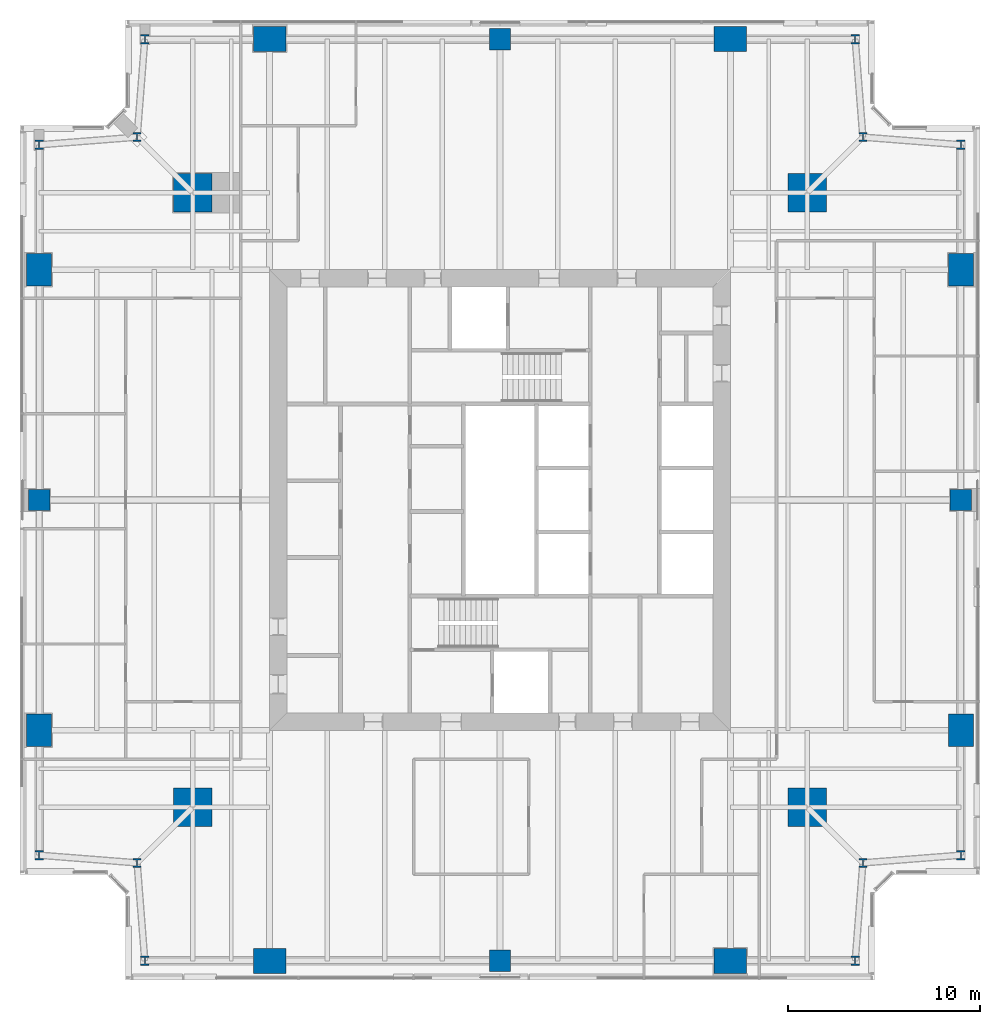
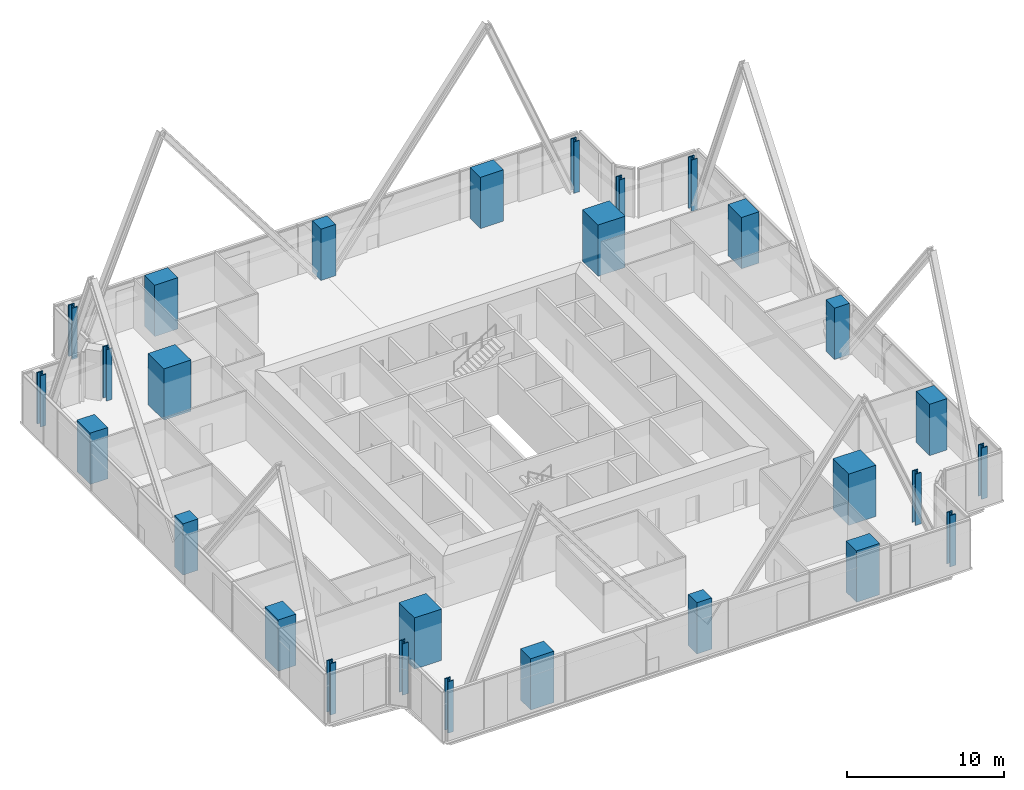
# One storey, part 1 of 14: 28 columns.
"""IFC4 building model written with IfcOpenShell, lengths in metres."""

import ifcopenshell
import ifcopenshell.guid

model = None  # the IFC model being written
_history = None  # IfcOwnerHistory: only IFC2X3 demands one
_inside = {}  # id of a spatial element -> (the spatial element, [elements in it])
_under = {}  # id of a project, library or spatial element -> (it, [spatial elements below it])
_declared = {}  # id of a project -> (the project, [libraries it declares])
_typed = {}  # id of a type object -> (the type object, [elements of that type])
_made_of = {}  # id of a material, layer set ... -> (it, [elements and type objects made of it])


def new_model(schema):
    """Start an empty IFC model of exactly this schema.

    Asked for "IFC4X3", IfcOpenShell would pick the latest addendum, in which some entities
    have other attributes; the version numbers below select the first issue.
    IFC2X3 requires an IfcOwnerHistory on every rooted entity: one is made here for all.
    """
    global model, _history
    if schema == "IFC4X3":
        model = ifcopenshell.file(schema_version=(4, 3, 0, 0))
    else:
        model = ifcopenshell.file(schema=schema)
    _inside.clear()
    _under.clear()
    _declared.clear()
    _typed.clear()
    _made_of.clear()
    _history = None
    if model.schema == "IFC2X3":
        org = make("IfcOrganization", Name="unknown")
        user = make(
            "IfcPersonAndOrganization",
            ThePerson=make("IfcPerson", FamilyName="unknown"),
            TheOrganization=org,
        )
        app = make(
            "IfcApplication",
            ApplicationDeveloper=org,
            Version="unknown",
            ApplicationFullName="unknown",
            ApplicationIdentifier="unknown",
        )
        _history = make(
            "IfcOwnerHistory",
            OwningUser=user,
            OwningApplication=app,
            ChangeAction="ADDED",
            CreationDate=0,
        )
    return model


def make(cls, **values):
    """One entity of the class cls with the attributes given. An attribute that is None is left unset."""
    return model.create_entity(
        cls, **{name: value for name, value in values.items() if value is not None}
    )


def rooted(cls, **values):
    """An entity with a GlobalId (a new one), such as an element, a storey or a relation."""
    return make(cls, GlobalId=ifcopenshell.guid.new(), OwnerHistory=_history, **values)


def si_unit(unit_type, name, prefix=None):
    """IfcSIUnit, for example si_unit("LENGTHUNIT", "METRE", prefix="MILLI")."""
    return make("IfcSIUnit", UnitType=unit_type, Prefix=prefix, Name=name)


def assignment(units):
    """IfcUnitAssignment: the units of a project."""
    return None if units is None else make("IfcUnitAssignment", Units=units)


def point(xyz):
    """IfcCartesianPoint."""
    return None if xyz is None else make("IfcCartesianPoint", Coordinates=xyz)


def direction(xyz):
    """IfcDirection."""
    return None if xyz is None else make("IfcDirection", DirectionRatios=xyz)


def frame(location, z_axis=None, x_axis=None):
    """IfcAxis2Placement3D, a coordinate frame: its origin and axes. An axis left out is left unset."""
    return make(
        "IfcAxis2Placement3D",
        Location=point(location),
        Axis=direction(z_axis),
        RefDirection=direction(x_axis),
    )


def frame_2d(location, x_axis=None):
    """IfcAxis2Placement2D, a coordinate frame in the plane: its origin and x axis."""
    return make(
        "IfcAxis2Placement2D", Location=point(location), RefDirection=direction(x_axis)
    )


def origin():
    """The frame at (0, 0, 0) with its axes left unset."""
    return frame((0.0, 0.0, 0.0))


def origin_2d():
    """The frame at (0, 0) in the plane with its x axis left unset."""
    return frame_2d((0.0, 0.0))


def place(relative_to, where):
    """IfcLocalPlacement: puts the frame where relative to a parent placement (None: the world)."""
    return make(
        "IfcLocalPlacement", PlacementRelTo=relative_to, RelativePlacement=where
    )


def context(
    kind, dimensions, precision=None, world=None, true_north=None, identifier=None
):
    """IfcGeometricRepresentationContext, for example the 3D "Model" context."""
    return make(
        "IfcGeometricRepresentationContext",
        ContextIdentifier=identifier,
        ContextType=kind,
        CoordinateSpaceDimension=dimensions,
        Precision=precision,
        WorldCoordinateSystem=world,
        TrueNorth=true_north,
    )


def subcontext(parent, identifier, kind, view, scale=None):
    """IfcGeometricRepresentationSubContext, for example "Body" below "Model"."""
    return make(
        "IfcGeometricRepresentationSubContext",
        ContextIdentifier=identifier,
        ContextType=kind,
        ParentContext=parent,
        TargetScale=scale,
        TargetView=view,
    )


def project(units=None, contexts=None):
    """IfcProject with its units and contexts."""
    return rooted(
        "IfcProject",
        Name="project",
        RepresentationContexts=contexts,
        UnitsInContext=assignment(units),
    )


def spatial(cls, under=None, at=None, **own):
    """A site, building, storey or space (cls), placed at a placement, below another one or the project."""
    s = rooted(cls, ObjectPlacement=at, **own)
    if under is not None:
        _under.setdefault(under.id(), (under, []))[1].append(s)
    return s


def profile(cls, at=None, kind="AREA", **sizes):
    """A parametric profile (cls). Its sizes go by their IFC names, for example OverallWidth=200.0."""
    return make(cls, ProfileType=kind, Position=at, **sizes)


def rectangle(**sizes):
    """IfcRectangleProfileDef."""
    return profile("IfcRectangleProfileDef", **sizes)


def i_section(**sizes):
    """IfcIShapeProfileDef."""
    return profile("IfcIShapeProfileDef", **sizes)


def extrude(swept, where, along, depth):
    """IfcExtrudedAreaSolid: the profile swept, set in the frame where, extruded along a direction by depth."""
    return make(
        "IfcExtrudedAreaSolid",
        SweptArea=swept,
        Position=where,
        ExtrudedDirection=direction(along),
        Depth=depth,
    )


def shape(context_of_items, identifier, shape_type, items):
    """IfcShapeRepresentation: the items that make up one representation, for example the "Body"."""
    return make(
        "IfcShapeRepresentation",
        ContextOfItems=context_of_items,
        RepresentationIdentifier=identifier,
        RepresentationType=shape_type,
        Items=items,
    )


def material(Name=None, Category=None):
    """IfcMaterial."""
    return make("IfcMaterial", Name=Name, Category=Category)


def material_profile(
    of_material, cross_section, Name=None, Category=None, Priority=None
):
    """IfcMaterialProfile: a cross section and its material."""
    return make(
        "IfcMaterialProfile",
        Name=Name,
        Material=of_material,
        Profile=cross_section,
        Priority=Priority,
        Category=Category,
    )


def profile_set(profiles, Name=None, composite=None):
    """IfcMaterialProfileSet."""
    return make(
        "IfcMaterialProfileSet",
        Name=Name,
        MaterialProfiles=profiles,
        CompositeProfile=composite,
    )


def made_of(thing, what):
    """Note that an element or type object is made of a material, layer set ...; save() writes the relation."""
    if what is not None:
        _made_of.setdefault(what.id(), (what, []))[1].append(thing)
    return thing


def type_object(cls, material=None, **own):
    """A type object (cls), such as IfcWallType, which elements share."""
    return made_of(rooted(cls, **own), material)


def element(
    cls,
    number,
    at=None,
    inside=None,
    cuts=None,
    type_object=None,
    material=None,
    context=None,
    identifier="Body",
    shape_type=None,
    held_by="IfcProductDefinitionShape",
    body=None,
    shapes=None,
    **own,
):
    """One element of the class cls, such as IfcWall. Its Tag is "e" and its number.

    at: its placement. inside: the storey or other place that contains it. cuts: it is an
    opening in that element (IfcRelVoidsElement). A single representation is given by context,
    identifier, shape_type and body (its items); several are given by shapes. held_by: the class
    of the entity that holds the representations. save() writes the other relations.
    """
    e = rooted(cls, Tag="e%d" % number, ObjectPlacement=at, **own)
    if body is not None:
        shapes = [shape(context, identifier, shape_type, body)]
    if shapes is not None:
        e.Representation = make(held_by, Representations=shapes)
    if inside is not None:
        _inside.setdefault(inside.id(), (inside, []))[1].append(e)
    if cuts is not None:
        rooted(
            "IfcRelVoidsElement", RelatingBuildingElement=cuts, RelatedOpeningElement=e
        )
    if type_object is not None:
        _typed.setdefault(type_object.id(), (type_object, []))[1].append(e)
    return made_of(e, material)


def aggregate(whole, parts):
    """IfcRelAggregates: a whole, such as a stair, and the parts it consists of."""
    return rooted("IfcRelAggregates", RelatingObject=whole, RelatedObjects=parts)


def save(model, path):
    """Write the relations noted so far, then the file.

    IfcRelAggregates (storeys below a building ...), IfcRelContainedInSpatialStructure (elements
    in a storey), IfcRelDefinesByType, IfcRelAssociatesMaterial and IfcRelDeclares: one each for
    every whole, place, type object, material and project.
    """
    for whole, parts in _under.values():
        aggregate(whole, parts)
    for where, things in _inside.values():
        rooted(
            "IfcRelContainedInSpatialStructure",
            RelatedElements=things,
            RelatingStructure=where,
        )
    for kind, things in _typed.values():
        rooted("IfcRelDefinesByType", RelatedObjects=things, RelatingType=kind)
    for what, things in _made_of.values():
        rooted("IfcRelAssociatesMaterial", RelatedObjects=things, RelatingMaterial=what)
    for by, libraries in _declared.values():
        rooted("IfcRelDeclares", RelatingContext=by, RelatedDefinitions=libraries)
    model.write(path)


model = new_model("IFC4")

# Units and contexts
model_context = context("Model", 3, precision=1e-05, world=origin(), true_north=direction((0.0, 1.0)))
body_context = subcontext(model_context, "Body", "Model", "MODEL_VIEW")
ifc_project = project(units=[si_unit("LENGTHUNIT", "METRE"), si_unit("AREAUNIT", "SQUARE_METRE"), si_unit("VOLUMEUNIT", "CUBIC_METRE"), si_unit("PLANEANGLEUNIT", "RADIAN"), si_unit("MASSUNIT", "GRAM", prefix="KILO")], contexts=[model_context])

# Site, building, storey
site_placement = place(None, origin())
site = spatial("IfcSite", under=ifc_project, at=site_placement, CompositionType="ELEMENT")
building_placement = place(site_placement, origin())
building = spatial("IfcBuilding", under=site, at=building_placement, Name="Fenwick Lantern Interchange", CompositionType="ELEMENT")
storey_placement = place(building_placement, frame((0.0, 0.0, 217.800048828125)))
storey = spatial("IfcBuildingStorey", under=building, at=storey_placement, Name="L51", CompositionType="ELEMENT", Elevation=217.800048828125)

# Columns
ifc_material_1 = material(Name="Concrete f'c 70 MPa", Category="concrete")
ifc_material_profile_1 = material_profile(ifc_material_1, rectangle(XDim=2.0, YDim=2.0, at=origin_2d()), Name="RC2000X2000")
ifc_profile_set_1 = profile_set([ifc_material_profile_1], Name="Concrete f'c 70 MPa")
column_type_1 = type_object("IfcColumnType", Name="MEGA COLUMN RC2000X2000", PredefinedType="COLUMN", material=ifc_profile_set_1)
for number, where, z_axis, x_axis, name in (
    (1, (9.0, 9.0, 0.0), (0.0, 0.0, 1.0), (1.0, 0.0, 0.0), "L51/M1"),
    (2, (41.0, 9.0, 0.0), (0.0, 0.0, 1.0), (1.0, 0.0, 0.0), "L51/M2"),
    (3, (41.0, 41.0, 0.0), (0.0, 0.0, 1.0), (1.0, 0.0, 0.0), "L51/M3"),
    (4, (9.0, 41.0, 0.0), (0.0, 0.0, 1.0), (1.0, 0.0, 0.0), "L51/M4"),
):
    element("IfcColumn", number, at=place(storey_placement, frame(where, z_axis=z_axis, x_axis=x_axis)), inside=storey, type_object=column_type_1, Name=name, PredefinedType="COLUMN", context=body_context, shape_type="SweptSolid", body=[
        extrude(rectangle(XDim=2.0, YDim=2.0, at=origin_2d()), origin(), (0.0, 0.0, 1.0), 4.0),
    ])
ifc_material_profile_2 = material_profile(ifc_material_1, rectangle(XDim=1.10009765625, YDim=1.10009765625, at=origin_2d()), Name="RC1100X1100")
ifc_profile_set_2 = profile_set([ifc_material_profile_2], Name="Concrete f'c 70 MPa")
column_type_2 = type_object("IfcColumnType", Name="PERIMETER COLUMN RC1100X1100", PredefinedType="COLUMN", material=ifc_profile_set_2)
for number, where, z_axis, x_axis, name in (
    (5, (25.0, 1.0, 0.0), (0.0, 0.0, 1.0), (1.0, 0.0, 0.0), "L51/CS3"),
    (6, (49.0, 25.0, 0.0), (0.0, 0.0, 1.0), (1.0, 0.0, 0.0), "L51/CE3"),
    (7, (25.0, 49.0, 0.0), (0.0, 0.0, 1.0), (1.0, 0.0, 0.0), "L51/CN3"),
    (8, (1.0, 25.0, 0.0), (0.0, 0.0, 1.0), (1.0, 0.0, 0.0), "L51/CW3"),
):
    element("IfcColumn", number, at=place(storey_placement, frame(where, z_axis=z_axis, x_axis=x_axis)), inside=storey, type_object=column_type_2, Name=name, PredefinedType="COLUMN", context=body_context, shape_type="SweptSolid", body=[
        extrude(rectangle(XDim=1.10009765625, YDim=1.10009765625, at=origin_2d()), origin(), (0.0, 0.0, 1.0), 4.0),
    ])
ifc_material_profile_3 = material_profile(ifc_material_1, rectangle(XDim=1.300048828125, YDim=1.699951171875, at=origin_2d()), Name="RC1300X1700")
ifc_profile_set_3 = profile_set([ifc_material_profile_3], Name="Concrete f'c 70 MPa")
column_type_3 = type_object("IfcColumnType", Name="PERIMETER COLUMN RC1300X1700", PredefinedType="COLUMN", material=ifc_profile_set_3)
for number, where, z_axis, x_axis, name in (
    (9, (49.0, 13.0, 0.0), (0.0, 0.0, 1.0), (1.0, 0.0, 0.0), "L51/CE2"),
    (10, (49.0, 37.0, 0.0), (0.0, 0.0, 1.0), (1.0, 0.0, 0.0), "L51/CE4"),
    (11, (1.0, 37.0, 0.0), (0.0, 0.0, 1.0), (1.0, 0.0, 0.0), "L51/CW2"),
    (12, (1.0, 13.0, 0.0), (0.0, 0.0, 1.0), (1.0, 0.0, 0.0), "L51/CW4"),
):
    element("IfcColumn", number, at=place(storey_placement, frame(where, z_axis=z_axis, x_axis=x_axis)), inside=storey, type_object=column_type_3, Name=name, PredefinedType="COLUMN", context=body_context, shape_type="SweptSolid", body=[
        extrude(rectangle(XDim=1.300048828125, YDim=1.699951171875, at=origin_2d()), origin(), (0.0, 0.0, 1.0), 4.0),
    ])
ifc_material_profile_4 = material_profile(ifc_material_1, rectangle(XDim=1.699951171875, YDim=1.300048828125, at=origin_2d()), Name="RC1700X1300")
ifc_profile_set_4 = profile_set([ifc_material_profile_4], Name="Concrete f'c 70 MPa")
column_type_4 = type_object("IfcColumnType", Name="PERIMETER COLUMN RC1700X1300", PredefinedType="COLUMN", material=ifc_profile_set_4)
for number, where, z_axis, x_axis, name in (
    (13, (13.0, 1.0, 0.0), (0.0, 0.0, 1.0), (1.0, 0.0, 0.0), "L51/CS2"),
    (14, (37.0, 1.0, 0.0), (0.0, 0.0, 1.0), (1.0, 0.0, 0.0), "L51/CS4"),
    (15, (37.0, 49.0, 0.0), (0.0, 0.0, 1.0), (1.0, 0.0, 0.0), "L51/CN2"),
    (16, (13.0, 49.0, 0.0), (0.0, 0.0, 1.0), (1.0, 0.0, 0.0), "L51/CN4"),
):
    element("IfcColumn", number, at=place(storey_placement, frame(where, z_axis=z_axis, x_axis=x_axis)), inside=storey, type_object=column_type_4, Name=name, PredefinedType="COLUMN", context=body_context, shape_type="SweptSolid", body=[
        extrude(rectangle(XDim=1.699951171875, YDim=1.300048828125, at=origin_2d()), origin(), (0.0, 0.0, 1.0), 4.0),
    ])
ifc_material_2 = material(Name="Steel ASTM A992 Grade 50", Category="steel")
ifc_material_profile_5 = material_profile(ifc_material_2, i_section(OverallWidth=0.424072265625, OverallDepth=0.47509765625, WebThickness=0.0478515625, FlangeThickness=0.0771484375, at=origin_2d()), Name="W14X426")
ifc_profile_set_5 = profile_set([ifc_material_profile_5], Name="Steel ASTM A992 Grade 50")
column_type_5 = type_object("IfcColumnType", Name="PERIMETER COLUMN W14X426", PredefinedType="COLUMN", material=ifc_profile_set_5)
for number, where, z_axis, x_axis, name in (
    (17, (6.5, 1.0, 0.0), (0.0, 0.0, 1.0), (1.0, 0.0, 0.0), "L51/CS1"),
    (18, (43.5, 1.0, 0.0), (0.0, 0.0, 1.0), (1.0, 0.0, 0.0), "L51/CS5"),
    (19, (43.89990234375, 6.10009765625, 0.0), (0.0, 0.0, 1.0), (1.0, 0.0, 0.0), "L51/CSR"),
    (20, (49.0, 6.5, 0.0), (0.0, 0.0, 1.0), (1.0, 0.0, 0.0), "L51/CE1"),
    (21, (49.0, 43.5, 0.0), (0.0, 0.0, 1.0), (1.0, 0.0, 0.0), "L51/CE5"),
    (22, (43.89990234375, 43.89990234375, 0.0), (0.0, 0.0, 1.0), (1.0, 0.0, 0.0), "L51/CER"),
    (23, (43.5, 49.0, 0.0), (0.0, 0.0, 1.0), (1.0, 0.0, 0.0), "L51/CN1"),
    (24, (6.5, 49.0, 0.0), (0.0, 0.0, 1.0), (1.0, 0.0, 0.0), "L51/CN5"),
    (25, (6.10009765625, 43.89990234375, 0.0), (0.0, 0.0, 1.0), (1.0, 0.0, 0.0), "L51/CNR"),
    (26, (1.0, 43.5, 0.0), (0.0, 0.0, 1.0), (1.0, 0.0, 0.0), "L51/CW1"),
    (27, (1.0, 6.5, 0.0), (0.0, 0.0, 1.0), (1.0, 0.0, 0.0), "L51/CW5"),
    (28, (6.10009765625, 6.10009765625, 0.0), (0.0, 0.0, 1.0), (1.0, 0.0, 0.0), "L51/CWR"),
):
    element("IfcColumn", number, at=place(storey_placement, frame(where, z_axis=z_axis, x_axis=x_axis)), inside=storey, type_object=column_type_5, Name=name, PredefinedType="COLUMN", context=body_context, shape_type="SweptSolid", body=[
        extrude(i_section(OverallWidth=0.424072265625, OverallDepth=0.47509765625, WebThickness=0.0478515625, FlangeThickness=0.0771484375, at=origin_2d()), origin(), (0.0, 0.0, 1.0), 4.0),
    ])

save(model, "model.ifc")
